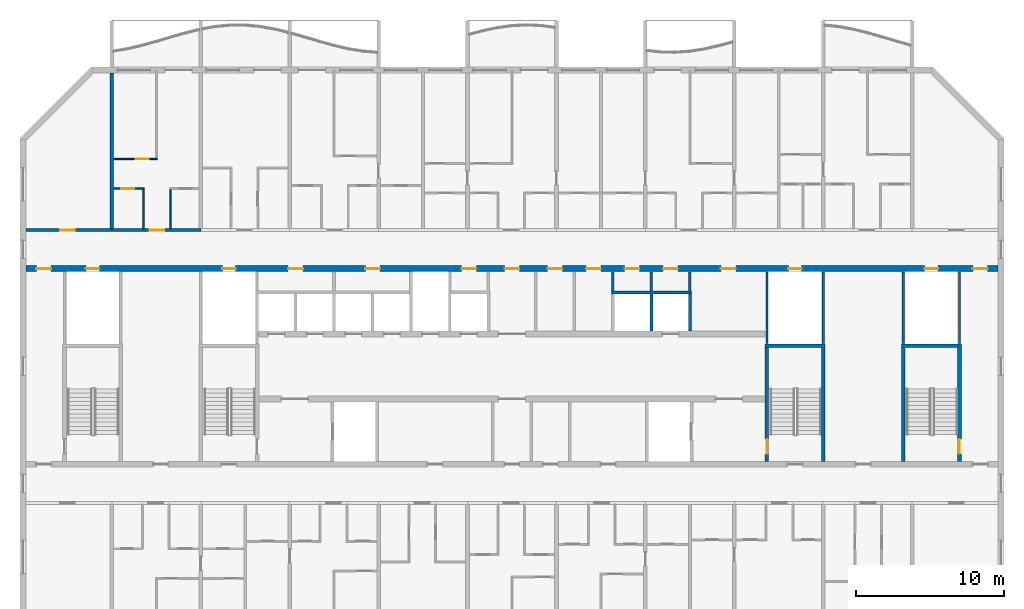
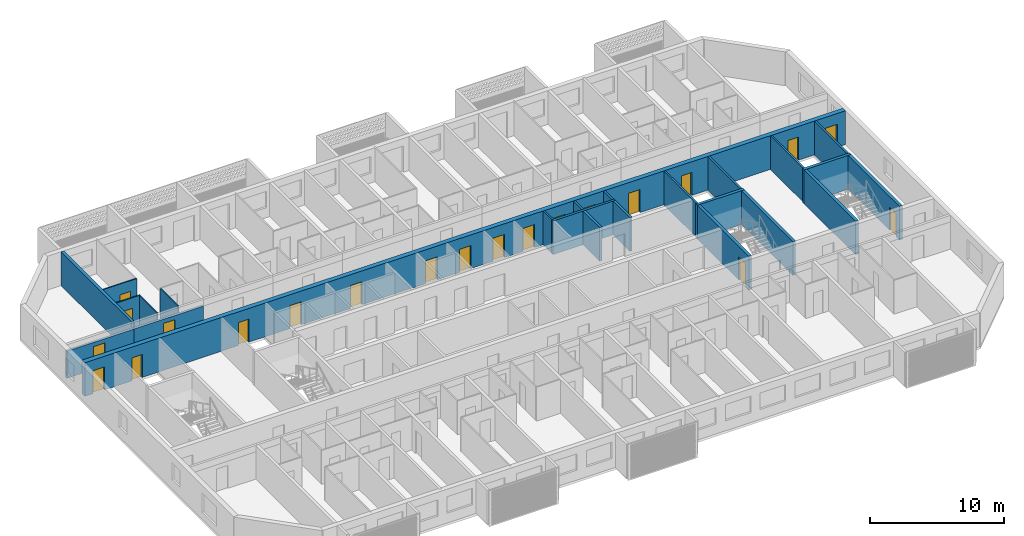
# One storey, part 7 of 27: 24 walls, 21 doors, 21 openings.
"""IFC4 building model written with IfcOpenShell, lengths in metres."""

from ifc_helpers import new_model, si_unit, direction, frame, frame_2d, origin, place, context, subcontext, project, spatial, rectangle, extrude, material, layer, layer_set, type_object, element, fill, save


model = new_model("IFC4")

# Units and contexts
model_context = context("Model", 3, precision=1e-05, world=origin(), true_north=direction((0.0, 1.0)))
body_context = subcontext(model_context, "Body", "Model", "MODEL_VIEW")
ifc_project = project(units=[si_unit("LENGTHUNIT", "METRE"), si_unit("AREAUNIT", "SQUARE_METRE"), si_unit("VOLUMEUNIT", "CUBIC_METRE"), si_unit("PLANEANGLEUNIT", "RADIAN"), si_unit("MASSUNIT", "GRAM", prefix="KILO")], contexts=[model_context])

# Site, building, storey
site_placement = place(None, origin())
site = spatial("IfcSite", under=ifc_project, at=site_placement, CompositionType="ELEMENT")
building_placement = place(site_placement, origin())
building = spatial("IfcBuilding", under=site, at=building_placement, Name="Poui Terraces", CompositionType="ELEMENT")
storey_placement = place(building_placement, frame((0.0, 0.0, 201.60009765625)))
storey = spatial("IfcBuildingStorey", under=building, at=storey_placement, Name="L56", CompositionType="ELEMENT", Elevation=201.60009765625)

# Wall, opening, door
ifc_material_1 = material(Name="Concrete 50 MPa", Category="concrete")
ifc_layer_1 = layer(ifc_material_1, 0.199951171875)
ifc_layer_set_1 = layer_set([ifc_layer_1], Name="Concrete 50 MPa")
wall_type_1 = type_object("IfcWallType", Name="CORRIDOR WALL 200 50MPa", PredefinedType="SHEAR", material=ifc_layer_set_1)
wall_1_placement = place(storey_placement, frame((18.199951171875, 30.39990234375, 0.0), z_axis=(0.0, 0.0, 1.0), x_axis=(1.0, 0.0, 0.0)))
wall_1 = element("IfcWall", 1, at=wall_1_placement, inside=storey, type_object=wall_type_1, Name="CORRIDOR WALL LINE E BAY 1", PredefinedType="SHEAR", context=body_context, shape_type="SweptSolid", body=[
    extrude(rectangle(XDim=5.800048828125, YDim=0.199951171875, at=frame_2d((2.89990234375, 0.0))), origin(), (0.0, 0.0, 1.0), 2.47998046875),
])
opening_1_placement = place(wall_1_placement, frame((2.300048828125, 0.0, 0.0)))
opening_1 = element("IfcOpeningElement", 2, at=opening_1_placement, cuts=wall_1, Name="Opening D100", PredefinedType="OPENING", context=body_context, shape_type="SweptSolid", body=[
    extrude(rectangle(XDim=1.0, YDim=2.10009765625, at=frame_2d((0.5, 1.050048828125))), frame((0.0, 0.10986328125, 0.0), z_axis=(0.0, -1.0, 0.0), x_axis=(1.0, 0.0, 0.0)), (0.0, 0.0, 1.0), 0.219970703125),
])
ifc_material_2 = material(Name="Solid core timber door", Category="wood")
door_type_1 = type_object("IfcDoorType", Name="ACCESSIBLE INTERNAL DOOR 1000 X 2100", OperationType="NOTDEFINED", PredefinedType="DOOR", material=ifc_material_2)
door_1_placement = place(opening_1_placement, origin())
door_1 = element("IfcDoor", 3, at=door_1_placement, inside=storey, type_object=door_type_1, Name="ACCESSIBLE INTERNAL DOOR 026", OperationType="SINGLE_SWING_LEFT", OverallHeight=2.10009765625, OverallWidth=1.0, PredefinedType="DOOR", context=body_context, shape_type="SweptSolid", body=[
    extrude(rectangle(XDim=1.0, YDim=2.10009765625, at=frame_2d((0.5, 1.050048828125))), frame((0.0, 0.02490234375, 0.0), z_axis=(0.0, -1.0, 0.0), x_axis=(1.0, 0.0, 0.0)), (0.0, 0.0, 1.0), 0.050048828125),
])
fill(opening_1, door_1)

wall_2_placement = place(storey_placement, frame((24.0, 30.39990234375, 0.0), z_axis=(0.0, 0.0, 1.0), x_axis=(1.0, 0.0, 0.0)))
wall_2 = element("IfcWall", 4, at=wall_2_placement, inside=storey, type_object=wall_type_1, Name="CORRIDOR WALL LINE E BAY 2", PredefinedType="SHEAR", context=body_context, shape_type="SweptSolid", body=[
    extrude(rectangle(XDim=6.0, YDim=0.199951171875, at=frame_2d((3.0, 0.0))), origin(), (0.0, 0.0, 1.0), 2.47998046875),
])
opening_2_placement = place(wall_2_placement, frame((2.550048828125, 0.0, 0.0)))
opening_2 = element("IfcOpeningElement", 5, at=opening_2_placement, cuts=wall_2, Name="Opening FD30S", PredefinedType="OPENING", context=body_context, shape_type="SweptSolid", body=[
    extrude(rectangle(XDim=1.0, YDim=2.10009765625, at=frame_2d((0.5, 1.050048828125))), frame((0.0, 0.10986328125, 0.0), z_axis=(0.0, -1.0, 0.0), x_axis=(1.0, 0.0, 0.0)), (0.0, 0.0, 1.0), 0.219970703125),
])
ifc_material_3 = material(Name="Steel fire door", Category="steel")
door_type_2 = type_object("IfcDoorType", Name="FLAT ENTRANCE DOOR 1000 X 2100", OperationType="NOTDEFINED", PredefinedType="DOOR", material=ifc_material_3)
door_2_placement = place(opening_2_placement, origin())
door_2 = element("IfcDoor", 6, at=door_2_placement, inside=storey, type_object=door_type_2, Name="FLAT ENTRANCE DOOR 029", OperationType="SINGLE_SWING_RIGHT", OverallHeight=2.10009765625, OverallWidth=1.0, PredefinedType="DOOR", context=body_context, shape_type="SweptSolid", body=[
    extrude(rectangle(XDim=1.0, YDim=2.10009765625, at=frame_2d((0.5, 1.050048828125))), frame((0.0, 0.02490234375, 0.0), z_axis=(0.0, -1.0, 0.0), x_axis=(1.0, 0.0, 0.0)), (0.0, 0.0, 1.0), 0.050048828125),
])
fill(opening_2, door_2)

# Wall
ifc_layer_2 = layer(ifc_material_1, 0.25)
ifc_layer_set_2 = layer_set([ifc_layer_2], Name="Concrete 50 MPa")
wall_type_2 = type_object("IfcWallType", Name="CROSS WALL 250 50MPa", PredefinedType="SHEAR", material=ifc_layer_set_2)
wall_3_placement = place(storey_placement, frame((24.0, 30.5, 0.0), z_axis=(0.0, 0.0, 1.0), x_axis=(0.0, 1.0, 0.0)))
element("IfcWall", 7, at=wall_3_placement, inside=storey, type_object=wall_type_2, Name="CROSS WALL LINE 5 NORTH", PredefinedType="SHEAR", context=body_context, shape_type="SweptSolid", body=[
    extrude(rectangle(XDim=10.5, YDim=0.25, at=frame_2d((5.25, 0.0))), origin(), (0.0, 0.0, 1.0), 3.079833984375),
])

# Wall, opening, door
ifc_material_4 = material(Name="Plasterboard partition")
ifc_layer_3 = layer(ifc_material_4, 0.10009765625)
ifc_layer_set_3 = layer_set([ifc_layer_3], Name="Plasterboard partition")
wall_type_3 = type_object("IfcWallType", Name="FLAT PARTITION 100", PredefinedType="PARTITIONING", material=ifc_layer_set_3)
wall_4_placement = place(storey_placement, frame((24.135009765625, 33.199951171875, 0.0), z_axis=(0.0, 0.0, 1.0), x_axis=(1.0, 0.0, 0.0)))
wall_4 = element("IfcWall", 8, at=wall_4_placement, inside=storey, type_object=wall_type_3, Name="FLAT PARTITION 100", PredefinedType="PARTITIONING", context=body_context, shape_type="SweptSolid", body=[
    extrude(rectangle(XDim=2.06494140625, YDim=0.10009765625, at=frame_2d((1.032470703125, 0.0))), origin(), (0.0, 0.0, 1.0), 3.079833984375),
])
opening_3_placement = place(wall_4_placement, frame((0.489990234375, 0.0, 0.0)))
opening_3 = element("IfcOpeningElement", 9, at=opening_3_placement, cuts=wall_4, Name="Opening D90", PredefinedType="OPENING", context=body_context, shape_type="SweptSolid", body=[
    extrude(rectangle(XDim=0.89990234375, YDim=2.10009765625, at=frame_2d((0.449951171875, 1.050048828125))), frame((0.0, 0.06005859375, 0.0), z_axis=(0.0, -1.0, 0.0), x_axis=(1.0, 0.0, 0.0)), (0.0, 0.0, 1.0), 0.1201171875),
])
door_type_3 = type_object("IfcDoorType", Name="INTERNAL DOOR 900 X 2100", OperationType="NOTDEFINED", PredefinedType="DOOR", material=ifc_material_2)
door_3_placement = place(opening_3_placement, frame((0.89990234375, 0.0, 0.0), z_axis=(0.0, 0.0, 1.0), x_axis=(-1.0, 0.0, 0.0)))
door_3 = element("IfcDoor", 10, at=door_3_placement, inside=storey, type_object=door_type_3, Name="INTERNAL DOOR 027", OperationType="SINGLE_SWING_LEFT", OverallHeight=2.10009765625, OverallWidth=0.89990234375, PredefinedType="DOOR", context=body_context, shape_type="SweptSolid", body=[
    extrude(rectangle(XDim=0.89990234375, YDim=2.10009765625, at=frame_2d((0.449951171875, 1.050048828125))), frame((0.0, 0.02490234375, 0.0), z_axis=(0.0, -1.0, 0.0), x_axis=(1.0, 0.0, 0.0)), (0.0, 0.0, 1.0), 0.050048828125),
])
fill(opening_3, door_3)

wall_5_placement = place(storey_placement, frame((24.135009765625, 35.199951171875, 0.0), z_axis=(0.0, 0.0, 1.0), x_axis=(1.0, 0.0, 0.0)))
wall_5 = element("IfcWall", 11, at=wall_5_placement, inside=storey, type_object=wall_type_3, Name="FLAT PARTITION 100", PredefinedType="PARTITIONING", context=body_context, shape_type="SweptSolid", body=[
    extrude(rectangle(XDim=2.9150390625, YDim=0.10009765625, at=frame_2d((1.45751953125, 0.0))), origin(), (0.0, 0.0, 1.0), 3.079833984375),
])
opening_4_placement = place(wall_5_placement, frame((1.465087890625, 0.0, 0.0)))
opening_4 = element("IfcOpeningElement", 12, at=opening_4_placement, cuts=wall_5, Name="Opening D90", PredefinedType="OPENING", context=body_context, shape_type="SweptSolid", body=[
    extrude(rectangle(XDim=0.89990234375, YDim=2.10009765625, at=frame_2d((0.449951171875, 1.050048828125))), frame((0.0, 0.06005859375, 0.0), z_axis=(0.0, -1.0, 0.0), x_axis=(1.0, 0.0, 0.0)), (0.0, 0.0, 1.0), 0.1201171875),
])
door_4_placement = place(opening_4_placement, frame((0.89990234375, 0.0, 0.0), z_axis=(0.0, 0.0, 1.0), x_axis=(-1.0, 0.0, 0.0)))
door_4 = element("IfcDoor", 13, at=door_4_placement, inside=storey, type_object=door_type_3, Name="INTERNAL DOOR 028", OperationType="SINGLE_SWING_RIGHT", OverallHeight=2.10009765625, OverallWidth=0.89990234375, PredefinedType="DOOR", context=body_context, shape_type="SweptSolid", body=[
    extrude(rectangle(XDim=0.89990234375, YDim=2.10009765625, at=frame_2d((0.449951171875, 1.050048828125))), frame((0.0, 0.02490234375, 0.0), z_axis=(0.0, -1.0, 0.0), x_axis=(1.0, 0.0, 0.0)), (0.0, 0.0, 1.0), 0.050048828125),
])
fill(opening_4, door_4)

# Walls
for number, where, z_axis, x_axis, name in (
    (14, (26.14990234375, 30.510009765625, 0.0), (0.0, 0.0, 1.0), (0.0, 1.0, 0.0), "FLAT PARTITION 100"),
    (15, (27.949951171875, 30.510009765625, 0.0), (0.0, 0.0, 1.0), (0.0, 1.0, 0.0), "FLAT PARTITION 100"),
):
    element("IfcWall", number, at=place(storey_placement, frame(where, z_axis=z_axis, x_axis=x_axis)), inside=storey, type_object=wall_type_3, Name=name, PredefinedType="PARTITIONING", context=body_context, shape_type="SweptSolid", body=[
        extrude(rectangle(XDim=2.639892578125, YDim=0.10009765625, at=frame_2d((1.31982421875, 0.0))), origin(), (0.0, 0.0, 1.0), 3.079833984375),
    ])
ifc_layer_4 = layer(ifc_material_4, 0.14990234375)
ifc_layer_set_4 = layer_set([ifc_layer_4], Name="Plasterboard partition")
wall_type_4 = type_object("IfcWallType", Name="PARTITION WALL 150", PredefinedType="PARTITIONING", material=ifc_layer_set_4)
for number, where, z_axis, x_axis, name in (
    (16, (57.800048828125, 26.300048828125, 0.0), (0.0, 0.0, 1.0), (0.0, 1.0, 0.0), "PARTITION WALL 150"),
    (17, (60.39990234375, 26.300048828125, 0.0), (0.0, 0.0, 1.0), (0.0, 1.0, 0.0), "PARTITION WALL 150"),
    (18, (63.0, 26.300048828125, 0.0), (0.0, 0.0, 1.0), (0.0, 1.0, 0.0), "PARTITION WALL 150"),
):
    element("IfcWall", number, at=place(storey_placement, frame(where, z_axis=z_axis, x_axis=x_axis)), inside=storey, type_object=wall_type_4, Name=name, PredefinedType="PARTITIONING", context=body_context, shape_type="SweptSolid", body=[
        extrude(rectangle(XDim=1.2900390625, YDim=0.14990234375, at=frame_2d((0.64501953125, 0.0))), origin(), (0.0, 0.0, 1.0), 3.079833984375),
    ])
ifc_material_5 = material(Name="Fire-rated plasterboard riser wall")
ifc_layer_5 = layer(ifc_material_5, 0.14990234375)
ifc_layer_set_5 = layer_set([ifc_layer_5], Name="Fire-rated plasterboard riser wall")
wall_type_5 = type_object("IfcWallType", Name="RISER WALL 150", PredefinedType="PARTITIONING", material=ifc_layer_set_5)
for number, where, z_axis, x_axis, name in (
    (19, (68.199951171875, 22.735107421875, 0.0), (0.0, 0.0, 1.0), (0.0, 1.0, 0.0), "RISER WALL 150"),
    (20, (72.0, 22.735107421875, 0.0), (0.0, 0.0, 1.0), (0.0, 1.0, 0.0), "RISER WALL 150"),
    (21, (77.39990234375, 22.735107421875, 0.0), (0.0, 0.0, 1.0), (0.0, 1.0, 0.0), "RISER WALL 150"),
    (22, (81.199951171875, 22.735107421875, 0.0), (0.0, 0.0, 1.0), (0.0, 1.0, 0.0), "RISER WALL 150"),
):
    element("IfcWall", number, at=place(storey_placement, frame(where, z_axis=z_axis, x_axis=x_axis)), inside=storey, type_object=wall_type_5, Name=name, PredefinedType="PARTITIONING", context=body_context, shape_type="SweptSolid", body=[
        extrude(rectangle(XDim=4.85498046875, YDim=0.14990234375, at=frame_2d((2.427490234375, 0.0))), origin(), (0.0, 0.0, 1.0), 3.079833984375),
    ])
ifc_material_6 = material(Name="Fire-rated masonry shaft wall", Category="masonry")
ifc_layer_6 = layer(ifc_material_6, 0.199951171875)
ifc_layer_set_6 = layer_set([ifc_layer_6], Name="Fire-rated masonry shaft wall")
wall_type_6 = type_object("IfcWallType", Name="SHAFT WALL 200", PredefinedType="PARTITIONING", material=ifc_layer_set_6)
wall_6_placement = place(storey_placement, frame((57.699951171875, 26.199951171875, 0.0), z_axis=(0.0, 0.0, 1.0), x_axis=(1.0, 0.0, 0.0)))
element("IfcWall", 23, at=wall_6_placement, inside=storey, type_object=wall_type_6, Name="SHAFT WALL 200", PredefinedType="PARTITIONING", context=body_context, shape_type="SweptSolid", body=[
    extrude(rectangle(XDim=5.400146484375, YDim=0.199951171875, at=frame_2d((2.7001953125, 0.0))), origin(), (0.0, 0.0, 1.0), 3.079833984375),
])
for number, where, z_axis, x_axis, name in (
    (24, (60.39990234375, 23.610107421875, 0.0), (0.0, 0.0, 1.0), (0.0, 1.0, 0.0), "SHAFT WALL 200"),
    (25, (63.0, 23.610107421875, 0.0), (0.0, 0.0, 1.0), (0.0, 1.0, 0.0), "SHAFT WALL 200"),
):
    element("IfcWall", number, at=place(storey_placement, frame(where, z_axis=z_axis, x_axis=x_axis)), inside=storey, type_object=wall_type_6, Name=name, PredefinedType="PARTITIONING", context=body_context, shape_type="SweptSolid", body=[
        extrude(rectangle(XDim=2.489990234375, YDim=0.199951171875, at=frame_2d((1.2451171875, 0.0))), origin(), (0.0, 0.0, 1.0), 3.079833984375),
    ])

# Wall, openings, doors
ifc_layer_7 = layer(ifc_material_1, 0.39990234375)
ifc_layer_set_7 = layer_set([ifc_layer_7], Name="Concrete 50 MPa")
wall_type_7 = type_object("IfcWallType", Name="SPINE WALL 400 50 MPA", PredefinedType="SOLIDWALL", material=ifc_layer_set_7)
wall_7_placement = place(storey_placement, frame((18.199951171875, 27.800048828125, 0.0), z_axis=(0.0, 0.0, 1.0), x_axis=(1.0, 0.0, 0.0)))
wall_7 = element("IfcWall", 26, at=wall_7_placement, inside=storey, type_object=wall_type_7, Name="SPINE WALL", PredefinedType="SOLIDWALL", context=body_context, shape_type="SweptSolid", body=[
    extrude(rectangle(XDim=65.60009765625, YDim=0.39990234375, at=frame_2d((32.800048828125, 0.0))), origin(), (0.0, 0.0, 1.0), 3.079833984375),
])
opening_5_placement = place(wall_7_placement, frame((0.699951171875, 0.0, 0.0)))
opening_5 = element("IfcOpeningElement", 27, at=opening_5_placement, cuts=wall_7, Name="Opening FDL", PredefinedType="OPENING", context=body_context, shape_type="SweptSolid", body=[
    extrude(rectangle(XDim=1.0, YDim=2.10009765625, at=frame_2d((0.5, 1.050048828125))), frame((0.0, 0.2099609375, 0.0), z_axis=(0.0, -1.0, 0.0), x_axis=(1.0, 0.0, 0.0)), (0.0, 0.0, 1.0), 0.419921875),
])
opening_6_placement = place(wall_7_placement, frame((4.050048828125, 0.0, 0.0)))
opening_6 = element("IfcOpeningElement", 28, at=opening_6_placement, cuts=wall_7, Name="Opening FDR", PredefinedType="OPENING", context=body_context, shape_type="SweptSolid", body=[
    extrude(rectangle(XDim=0.89990234375, YDim=2.10009765625, at=frame_2d((0.449951171875, 1.050048828125))), frame((0.0, 0.2099609375, 0.0), z_axis=(0.0, -1.0, 0.0), x_axis=(1.0, 0.0, 0.0)), (0.0, 0.0, 1.0), 0.419921875),
])
opening_7_placement = place(wall_7_placement, frame((13.25, 0.0, 0.0)))
opening_7 = element("IfcOpeningElement", 29, at=opening_7_placement, cuts=wall_7, Name="Opening FDR", PredefinedType="OPENING", context=body_context, shape_type="SweptSolid", body=[
    extrude(rectangle(XDim=0.89990234375, YDim=2.10009765625, at=frame_2d((0.449951171875, 1.050048828125))), frame((0.0, 0.2099609375, 0.0), z_axis=(0.0, -1.0, 0.0), x_axis=(1.0, 0.0, 0.0)), (0.0, 0.0, 1.0), 0.419921875),
])
opening_8_placement = place(wall_7_placement, frame((17.699951171875, 0.0, 0.0)))
opening_8 = element("IfcOpeningElement", 30, at=opening_8_placement, cuts=wall_7, Name="Opening FD60", PredefinedType="OPENING", context=body_context, shape_type="SweptSolid", body=[
    extrude(rectangle(XDim=1.0, YDim=2.10009765625, at=frame_2d((0.5, 1.050048828125))), frame((0.0, 0.2099609375, 0.0), z_axis=(0.0, -1.0, 0.0), x_axis=(1.0, 0.0, 0.0)), (0.0, 0.0, 1.0), 0.419921875),
])
opening_9_placement = place(wall_7_placement, frame((22.89990234375, 0.0, 0.0)))
opening_9 = element("IfcOpeningElement", 31, at=opening_9_placement, cuts=wall_7, Name="Opening FD60", PredefinedType="OPENING", context=body_context, shape_type="SweptSolid", body=[
    extrude(rectangle(XDim=1.0, YDim=2.10009765625, at=frame_2d((0.5, 1.050048828125))), frame((0.0, 0.2099609375, 0.0), z_axis=(0.0, -1.0, 0.0), x_axis=(1.0, 0.0, 0.0)), (0.0, 0.0, 1.0), 0.419921875),
])
opening_10_placement = place(wall_7_placement, frame((29.39990234375, 0.0, 0.0)))
opening_10 = element("IfcOpeningElement", 32, at=opening_10_placement, cuts=wall_7, Name="Opening FD60", PredefinedType="OPENING", context=body_context, shape_type="SweptSolid", body=[
    extrude(rectangle(XDim=1.0, YDim=2.10009765625, at=frame_2d((0.5, 1.050048828125))), frame((0.0, 0.2099609375, 0.0), z_axis=(0.0, -1.0, 0.0), x_axis=(1.0, 0.0, 0.0)), (0.0, 0.0, 1.0), 0.419921875),
])
opening_11_placement = place(wall_7_placement, frame((32.300048828125, 0.0, 0.0)))
opening_11 = element("IfcOpeningElement", 33, at=opening_11_placement, cuts=wall_7, Name="Opening FDL", PredefinedType="OPENING", context=body_context, shape_type="SweptSolid", body=[
    extrude(rectangle(XDim=1.0, YDim=2.10009765625, at=frame_2d((0.5, 1.050048828125))), frame((0.0, 0.2099609375, 0.0), z_axis=(0.0, -1.0, 0.0), x_axis=(1.0, 0.0, 0.0)), (0.0, 0.0, 1.0), 0.419921875),
])
opening_12_placement = place(wall_7_placement, frame((35.199951171875, 0.0, 0.0)))
opening_12 = element("IfcOpeningElement", 34, at=opening_12_placement, cuts=wall_7, Name="Opening FD60", PredefinedType="OPENING", context=body_context, shape_type="SweptSolid", body=[
    extrude(rectangle(XDim=1.0, YDim=2.10009765625, at=frame_2d((0.5, 1.050048828125))), frame((0.0, 0.2099609375, 0.0), z_axis=(0.0, -1.0, 0.0), x_axis=(1.0, 0.0, 0.0)), (0.0, 0.0, 1.0), 0.419921875),
])
opening_13_placement = place(wall_7_placement, frame((37.800048828125, 0.0, 0.0)))
opening_13 = element("IfcOpeningElement", 35, at=opening_13_placement, cuts=wall_7, Name="Opening FD60", PredefinedType="OPENING", context=body_context, shape_type="SweptSolid", body=[
    extrude(rectangle(XDim=1.0, YDim=2.10009765625, at=frame_2d((0.5, 1.050048828125))), frame((0.0, 0.2099609375, 0.0), z_axis=(0.0, -1.0, 0.0), x_axis=(1.0, 0.0, 0.0)), (0.0, 0.0, 1.0), 0.419921875),
])
opening_14_placement = place(wall_7_placement, frame((40.39990234375, 0.0, 0.0)))
opening_14 = element("IfcOpeningElement", 36, at=opening_14_placement, cuts=wall_7, Name="Opening FD60", PredefinedType="OPENING", context=body_context, shape_type="SweptSolid", body=[
    extrude(rectangle(XDim=1.0, YDim=2.10009765625, at=frame_2d((0.5, 1.050048828125))), frame((0.0, 0.2099609375, 0.0), z_axis=(0.0, -1.0, 0.0), x_axis=(1.0, 0.0, 0.0)), (0.0, 0.0, 1.0), 0.419921875),
])
opening_15_placement = place(wall_7_placement, frame((43.0, 0.0, 0.0)))
opening_15 = element("IfcOpeningElement", 37, at=opening_15_placement, cuts=wall_7, Name="Opening FD60", PredefinedType="OPENING", context=body_context, shape_type="SweptSolid", body=[
    extrude(rectangle(XDim=1.0, YDim=2.10009765625, at=frame_2d((0.5, 1.050048828125))), frame((0.0, 0.2099609375, 0.0), z_axis=(0.0, -1.0, 0.0), x_axis=(1.0, 0.0, 0.0)), (0.0, 0.0, 1.0), 0.419921875),
])
opening_16_placement = place(wall_7_placement, frame((46.89990234375, 0.0, 0.0)))
opening_16 = element("IfcOpeningElement", 38, at=opening_16_placement, cuts=wall_7, Name="Opening FD60", PredefinedType="OPENING", context=body_context, shape_type="SweptSolid", body=[
    extrude(rectangle(XDim=1.0, YDim=2.10009765625, at=frame_2d((0.5, 1.050048828125))), frame((0.0, 0.2099609375, 0.0), z_axis=(0.0, -1.0, 0.0), x_axis=(1.0, 0.0, 0.0)), (0.0, 0.0, 1.0), 0.419921875),
])
opening_17_placement = place(wall_7_placement, frame((51.449951171875, 0.0, 0.0)))
opening_17 = element("IfcOpeningElement", 39, at=opening_17_placement, cuts=wall_7, Name="Opening FDR", PredefinedType="OPENING", context=body_context, shape_type="SweptSolid", body=[
    extrude(rectangle(XDim=0.89990234375, YDim=2.10009765625, at=frame_2d((0.449951171875, 1.050048828125))), frame((0.0, 0.2099609375, 0.0), z_axis=(0.0, -1.0, 0.0), x_axis=(1.0, 0.0, 0.0)), (0.0, 0.0, 1.0), 0.419921875),
])
opening_18_placement = place(wall_7_placement, frame((60.64990234375, 0.0, 0.0)))
opening_18 = element("IfcOpeningElement", 40, at=opening_18_placement, cuts=wall_7, Name="Opening FDR", PredefinedType="OPENING", context=body_context, shape_type="SweptSolid", body=[
    extrude(rectangle(XDim=0.89990234375, YDim=2.10009765625, at=frame_2d((0.449951171875, 1.050048828125))), frame((0.0, 0.2099609375, 0.0), z_axis=(0.0, -1.0, 0.0), x_axis=(1.0, 0.0, 0.0)), (0.0, 0.0, 1.0), 0.419921875),
])
opening_19_placement = place(wall_7_placement, frame((63.89990234375, 0.0, 0.0)))
opening_19 = element("IfcOpeningElement", 41, at=opening_19_placement, cuts=wall_7, Name="Opening FDL", PredefinedType="OPENING", context=body_context, shape_type="SweptSolid", body=[
    extrude(rectangle(XDim=1.0, YDim=2.10009765625, at=frame_2d((0.5, 1.050048828125))), frame((0.0, 0.2099609375, 0.0), z_axis=(0.0, -1.0, 0.0), x_axis=(1.0, 0.0, 0.0)), (0.0, 0.0, 1.0), 0.419921875),
])
door_type_4 = type_object("IfcDoorType", Name="LOBBY FIRE DOOR 1000 X 2100", OperationType="NOTDEFINED", PredefinedType="DOOR", material=ifc_material_3)
door_5_placement = place(opening_5_placement, origin())
door_5 = element("IfcDoor", 42, at=door_5_placement, inside=storey, type_object=door_type_4, Name="LOBBY FIRE DOOR 001", OperationType="SINGLE_SWING_LEFT", OverallHeight=2.10009765625, OverallWidth=1.0, PredefinedType="DOOR", context=body_context, shape_type="SweptSolid", body=[
    extrude(rectangle(XDim=1.0, YDim=2.10009765625, at=frame_2d((0.5, 1.050048828125))), frame((0.0, 0.02490234375, 0.0), z_axis=(0.0, -1.0, 0.0), x_axis=(1.0, 0.0, 0.0)), (0.0, 0.0, 1.0), 0.050048828125),
])
fill(opening_5, door_5)
door_6_placement = place(opening_11_placement, origin())
door_6 = element("IfcDoor", 43, at=door_6_placement, inside=storey, type_object=door_type_4, Name="LOBBY FIRE DOOR 007", OperationType="SINGLE_SWING_RIGHT", OverallHeight=2.10009765625, OverallWidth=1.0, PredefinedType="DOOR", context=body_context, shape_type="SweptSolid", body=[
    extrude(rectangle(XDim=1.0, YDim=2.10009765625, at=frame_2d((0.5, 1.050048828125))), frame((0.0, 0.02490234375, 0.0), z_axis=(0.0, -1.0, 0.0), x_axis=(1.0, 0.0, 0.0)), (0.0, 0.0, 1.0), 0.050048828125),
])
fill(opening_11, door_6)
door_7_placement = place(opening_19_placement, origin())
door_7 = element("IfcDoor", 44, at=door_7_placement, inside=storey, type_object=door_type_4, Name="LOBBY FIRE DOOR 015", OperationType="SINGLE_SWING_RIGHT", OverallHeight=2.10009765625, OverallWidth=1.0, PredefinedType="DOOR", context=body_context, shape_type="SweptSolid", body=[
    extrude(rectangle(XDim=1.0, YDim=2.10009765625, at=frame_2d((0.5, 1.050048828125))), frame((0.0, 0.02490234375, 0.0), z_axis=(0.0, -1.0, 0.0), x_axis=(1.0, 0.0, 0.0)), (0.0, 0.0, 1.0), 0.050048828125),
])
fill(opening_19, door_7)
door_type_5 = type_object("IfcDoorType", Name="RISER CUPBOARD DOOR 900 X 2100", OperationType="NOTDEFINED", PredefinedType="DOOR", material=ifc_material_3)
door_8_placement = place(opening_6_placement, origin())
door_8 = element("IfcDoor", 45, at=door_8_placement, inside=storey, type_object=door_type_5, Name="RISER CUPBOARD DOOR 002", OperationType="SINGLE_SWING_LEFT", OverallHeight=2.10009765625, OverallWidth=0.89990234375, PredefinedType="DOOR", context=body_context, shape_type="SweptSolid", body=[
    extrude(rectangle(XDim=0.89990234375, YDim=2.10009765625, at=frame_2d((0.449951171875, 1.050048828125))), frame((0.0, 0.02490234375, 0.0), z_axis=(0.0, -1.0, 0.0), x_axis=(1.0, 0.0, 0.0)), (0.0, 0.0, 1.0), 0.050048828125),
])
fill(opening_6, door_8)
door_9_placement = place(opening_7_placement, origin())
door_9 = element("IfcDoor", 46, at=door_9_placement, inside=storey, type_object=door_type_5, Name="RISER CUPBOARD DOOR 003", OperationType="SINGLE_SWING_LEFT", OverallHeight=2.10009765625, OverallWidth=0.89990234375, PredefinedType="DOOR", context=body_context, shape_type="SweptSolid", body=[
    extrude(rectangle(XDim=0.89990234375, YDim=2.10009765625, at=frame_2d((0.449951171875, 1.050048828125))), frame((0.0, 0.02490234375, 0.0), z_axis=(0.0, -1.0, 0.0), x_axis=(1.0, 0.0, 0.0)), (0.0, 0.0, 1.0), 0.050048828125),
])
fill(opening_7, door_9)
door_10_placement = place(opening_17_placement, origin())
door_10 = element("IfcDoor", 47, at=door_10_placement, inside=storey, type_object=door_type_5, Name="RISER CUPBOARD DOOR 013", OperationType="SINGLE_SWING_RIGHT", OverallHeight=2.10009765625, OverallWidth=0.89990234375, PredefinedType="DOOR", context=body_context, shape_type="SweptSolid", body=[
    extrude(rectangle(XDim=0.89990234375, YDim=2.10009765625, at=frame_2d((0.449951171875, 1.050048828125))), frame((0.0, 0.02490234375, 0.0), z_axis=(0.0, -1.0, 0.0), x_axis=(1.0, 0.0, 0.0)), (0.0, 0.0, 1.0), 0.050048828125),
])
fill(opening_17, door_10)
door_11_placement = place(opening_18_placement, origin())
door_11 = element("IfcDoor", 48, at=door_11_placement, inside=storey, type_object=door_type_5, Name="RISER CUPBOARD DOOR 014", OperationType="SINGLE_SWING_RIGHT", OverallHeight=2.10009765625, OverallWidth=0.89990234375, PredefinedType="DOOR", context=body_context, shape_type="SweptSolid", body=[
    extrude(rectangle(XDim=0.89990234375, YDim=2.10009765625, at=frame_2d((0.449951171875, 1.050048828125))), frame((0.0, 0.02490234375, 0.0), z_axis=(0.0, -1.0, 0.0), x_axis=(1.0, 0.0, 0.0)), (0.0, 0.0, 1.0), 0.050048828125),
])
fill(opening_18, door_11)
door_type_6 = type_object("IfcDoorType", Name="SERVICE ROOM FIRE DOOR 1000 X 2100", OperationType="NOTDEFINED", PredefinedType="DOOR", material=ifc_material_3)
door_12_placement = place(opening_8_placement, origin())
door_12 = element("IfcDoor", 49, at=door_12_placement, inside=storey, type_object=door_type_6, Name="SERVICE ROOM FIRE DOOR 004", OperationType="SINGLE_SWING_RIGHT", OverallHeight=2.10009765625, OverallWidth=1.0, PredefinedType="DOOR", context=body_context, shape_type="SweptSolid", body=[
    extrude(rectangle(XDim=1.0, YDim=2.10009765625, at=frame_2d((0.5, 1.050048828125))), frame((0.0, 0.02490234375, 0.0), z_axis=(0.0, -1.0, 0.0), x_axis=(1.0, 0.0, 0.0)), (0.0, 0.0, 1.0), 0.050048828125),
])
fill(opening_8, door_12)
door_13_placement = place(opening_9_placement, origin())
door_13 = element("IfcDoor", 50, at=door_13_placement, inside=storey, type_object=door_type_6, Name="SERVICE ROOM FIRE DOOR 005", OperationType="SINGLE_SWING_LEFT", OverallHeight=2.10009765625, OverallWidth=1.0, PredefinedType="DOOR", context=body_context, shape_type="SweptSolid", body=[
    extrude(rectangle(XDim=1.0, YDim=2.10009765625, at=frame_2d((0.5, 1.050048828125))), frame((0.0, 0.02490234375, 0.0), z_axis=(0.0, -1.0, 0.0), x_axis=(1.0, 0.0, 0.0)), (0.0, 0.0, 1.0), 0.050048828125),
])
fill(opening_9, door_13)
door_14_placement = place(opening_10_placement, origin())
door_14 = element("IfcDoor", 51, at=door_14_placement, inside=storey, type_object=door_type_6, Name="SERVICE ROOM FIRE DOOR 006", OperationType="SINGLE_SWING_RIGHT", OverallHeight=2.10009765625, OverallWidth=1.0, PredefinedType="DOOR", context=body_context, shape_type="SweptSolid", body=[
    extrude(rectangle(XDim=1.0, YDim=2.10009765625, at=frame_2d((0.5, 1.050048828125))), frame((0.0, 0.02490234375, 0.0), z_axis=(0.0, -1.0, 0.0), x_axis=(1.0, 0.0, 0.0)), (0.0, 0.0, 1.0), 0.050048828125),
])
fill(opening_10, door_14)
door_15_placement = place(opening_12_placement, origin())
door_15 = element("IfcDoor", 52, at=door_15_placement, inside=storey, type_object=door_type_6, Name="SERVICE ROOM FIRE DOOR 008", OperationType="SINGLE_SWING_LEFT", OverallHeight=2.10009765625, OverallWidth=1.0, PredefinedType="DOOR", context=body_context, shape_type="SweptSolid", body=[
    extrude(rectangle(XDim=1.0, YDim=2.10009765625, at=frame_2d((0.5, 1.050048828125))), frame((0.0, 0.02490234375, 0.0), z_axis=(0.0, -1.0, 0.0), x_axis=(1.0, 0.0, 0.0)), (0.0, 0.0, 1.0), 0.050048828125),
])
fill(opening_12, door_15)
door_16_placement = place(opening_13_placement, origin())
door_16 = element("IfcDoor", 53, at=door_16_placement, inside=storey, type_object=door_type_6, Name="SERVICE ROOM FIRE DOOR 009", OperationType="SINGLE_SWING_RIGHT", OverallHeight=2.10009765625, OverallWidth=1.0, PredefinedType="DOOR", context=body_context, shape_type="SweptSolid", body=[
    extrude(rectangle(XDim=1.0, YDim=2.10009765625, at=frame_2d((0.5, 1.050048828125))), frame((0.0, 0.02490234375, 0.0), z_axis=(0.0, -1.0, 0.0), x_axis=(1.0, 0.0, 0.0)), (0.0, 0.0, 1.0), 0.050048828125),
])
fill(opening_13, door_16)
door_17_placement = place(opening_14_placement, origin())
door_17 = element("IfcDoor", 54, at=door_17_placement, inside=storey, type_object=door_type_6, Name="SERVICE ROOM FIRE DOOR 010", OperationType="SINGLE_SWING_LEFT", OverallHeight=2.10009765625, OverallWidth=1.0, PredefinedType="DOOR", context=body_context, shape_type="SweptSolid", body=[
    extrude(rectangle(XDim=1.0, YDim=2.10009765625, at=frame_2d((0.5, 1.050048828125))), frame((0.0, 0.02490234375, 0.0), z_axis=(0.0, -1.0, 0.0), x_axis=(1.0, 0.0, 0.0)), (0.0, 0.0, 1.0), 0.050048828125),
])
fill(opening_14, door_17)
door_18_placement = place(opening_15_placement, origin())
door_18 = element("IfcDoor", 55, at=door_18_placement, inside=storey, type_object=door_type_6, Name="SERVICE ROOM FIRE DOOR 011", OperationType="SINGLE_SWING_RIGHT", OverallHeight=2.10009765625, OverallWidth=1.0, PredefinedType="DOOR", context=body_context, shape_type="SweptSolid", body=[
    extrude(rectangle(XDim=1.0, YDim=2.10009765625, at=frame_2d((0.5, 1.050048828125))), frame((0.0, 0.02490234375, 0.0), z_axis=(0.0, -1.0, 0.0), x_axis=(1.0, 0.0, 0.0)), (0.0, 0.0, 1.0), 0.050048828125),
])
fill(opening_15, door_18)
door_19_placement = place(opening_16_placement, origin())
door_19 = element("IfcDoor", 56, at=door_19_placement, inside=storey, type_object=door_type_6, Name="SERVICE ROOM FIRE DOOR 012", OperationType="SINGLE_SWING_LEFT", OverallHeight=2.10009765625, OverallWidth=1.0, PredefinedType="DOOR", context=body_context, shape_type="SweptSolid", body=[
    extrude(rectangle(XDim=1.0, YDim=2.10009765625, at=frame_2d((0.5, 1.050048828125))), frame((0.0, 0.02490234375, 0.0), z_axis=(0.0, -1.0, 0.0), x_axis=(1.0, 0.0, 0.0)), (0.0, 0.0, 1.0), 0.050048828125),
])
fill(opening_16, door_19)

# Wall, opening, door
ifc_layer_8 = layer(ifc_material_1, 0.25)
ifc_layer_set_8 = layer_set([ifc_layer_8], Name="Concrete 50 MPa")
wall_type_8 = type_object("IfcWallType", Name="STAIR CORE WALL 250 50 MPA", PredefinedType="SOLIDWALL", material=ifc_layer_set_8)
wall_8_placement = place(storey_placement, frame((68.199951171875, 14.800048828125, 0.0), z_axis=(0.0, 0.0, 1.0), x_axis=(0.0, 1.0, 0.0)))
wall_8 = element("IfcWall", 57, at=wall_8_placement, inside=storey, type_object=wall_type_8, Name="STAIR CORE WALL", PredefinedType="SOLIDWALL", context=body_context, shape_type="SweptSolid", body=[
    extrude(rectangle(XDim=7.675048828125, YDim=0.25, at=frame_2d((3.83740234375, 0.0))), origin(), (0.0, 0.0, 1.0), 3.079833984375),
])
opening_20_placement = place(wall_8_placement, frame((0.5, 0.0, 0.0)))
opening_20 = element("IfcOpeningElement", 58, at=opening_20_placement, cuts=wall_8, Name="Opening FD60S", PredefinedType="OPENING", context=body_context, shape_type="SweptSolid", body=[
    extrude(rectangle(XDim=1.0, YDim=2.10009765625, at=frame_2d((0.5, 1.050048828125))), frame((0.0, 0.135009765625, 0.0), z_axis=(0.0, -1.0, 0.0), x_axis=(1.0, 0.0, 0.0)), (0.0, 0.0, 1.0), 0.27001953125),
])
door_type_7 = type_object("IfcDoorType", Name="STAIR DOOR 1000 X 2100", OperationType="NOTDEFINED", PredefinedType="DOOR", material=ifc_material_3)
door_20_placement = place(opening_20_placement, frame((1.0, 0.0, 0.0), z_axis=(0.0, 0.0, 1.0), x_axis=(-1.0, 0.0, 0.0)))
door_20 = element("IfcDoor", 59, at=door_20_placement, inside=storey, type_object=door_type_7, Name="STAIR DOOR 103", OperationType="SINGLE_SWING_LEFT", OverallHeight=2.10009765625, OverallWidth=1.0, PredefinedType="DOOR", context=body_context, shape_type="SweptSolid", body=[
    extrude(rectangle(XDim=1.0, YDim=2.10009765625, at=frame_2d((0.5, 1.050048828125))), frame((0.0, 0.02490234375, 0.0), z_axis=(0.0, -1.0, 0.0), x_axis=(1.0, 0.0, 0.0)), (0.0, 0.0, 1.0), 0.050048828125),
])
fill(opening_20, door_20)

# Walls
wall_9_placement = place(storey_placement, frame((72.0, 14.800048828125, 0.0), z_axis=(0.0, 0.0, 1.0), x_axis=(0.0, 1.0, 0.0)))
element("IfcWall", 60, at=wall_9_placement, inside=storey, type_object=wall_type_8, Name="STAIR CORE WALL", PredefinedType="SOLIDWALL", context=body_context, shape_type="SweptSolid", body=[
    extrude(rectangle(XDim=7.675048828125, YDim=0.25, at=frame_2d((3.83740234375, 0.0))), origin(), (0.0, 0.0, 1.0), 3.079833984375),
])
wall_10_placement = place(storey_placement, frame((68.074951171875, 22.60009765625, 0.0), z_axis=(0.0, 0.0, 1.0), x_axis=(1.0, 0.0, 0.0)))
element("IfcWall", 61, at=wall_10_placement, inside=storey, type_object=wall_type_8, Name="STAIR CORE WALL", PredefinedType="SOLIDWALL", context=body_context, shape_type="SweptSolid", body=[
    extrude(rectangle(XDim=4.050048828125, YDim=0.25, at=frame_2d((2.02490234375, 0.0))), origin(), (0.0, 0.0, 1.0), 3.079833984375),
])
wall_11_placement = place(storey_placement, frame((77.39990234375, 14.800048828125, 0.0), z_axis=(0.0, 0.0, 1.0), x_axis=(0.0, 1.0, 0.0)))
element("IfcWall", 62, at=wall_11_placement, inside=storey, type_object=wall_type_8, Name="STAIR CORE WALL", PredefinedType="SOLIDWALL", context=body_context, shape_type="SweptSolid", body=[
    extrude(rectangle(XDim=7.675048828125, YDim=0.25, at=frame_2d((3.83740234375, 0.0))), origin(), (0.0, 0.0, 1.0), 3.079833984375),
])

# Wall, opening, door
wall_12_placement = place(storey_placement, frame((81.199951171875, 14.800048828125, 0.0), z_axis=(0.0, 0.0, 1.0), x_axis=(0.0, 1.0, 0.0)))
wall_12 = element("IfcWall", 63, at=wall_12_placement, inside=storey, type_object=wall_type_8, Name="STAIR CORE WALL", PredefinedType="SOLIDWALL", context=body_context, shape_type="SweptSolid", body=[
    extrude(rectangle(XDim=7.675048828125, YDim=0.25, at=frame_2d((3.83740234375, 0.0))), origin(), (0.0, 0.0, 1.0), 3.079833984375),
])
opening_21_placement = place(wall_12_placement, frame((0.5, 0.0, 0.0)))
opening_21 = element("IfcOpeningElement", 64, at=opening_21_placement, cuts=wall_12, Name="Opening FD60S", PredefinedType="OPENING", context=body_context, shape_type="SweptSolid", body=[
    extrude(rectangle(XDim=1.0, YDim=2.10009765625, at=frame_2d((0.5, 1.050048828125))), frame((0.0, 0.135009765625, 0.0), z_axis=(0.0, -1.0, 0.0), x_axis=(1.0, 0.0, 0.0)), (0.0, 0.0, 1.0), 0.27001953125),
])
door_21_placement = place(opening_21_placement, origin())
door_21 = element("IfcDoor", 65, at=door_21_placement, inside=storey, type_object=door_type_7, Name="STAIR DOOR 117", OperationType="SINGLE_SWING_LEFT", OverallHeight=2.10009765625, OverallWidth=1.0, PredefinedType="DOOR", context=body_context, shape_type="SweptSolid", body=[
    extrude(rectangle(XDim=1.0, YDim=2.10009765625, at=frame_2d((0.5, 1.050048828125))), frame((0.0, 0.02490234375, 0.0), z_axis=(0.0, -1.0, 0.0), x_axis=(1.0, 0.0, 0.0)), (0.0, 0.0, 1.0), 0.050048828125),
])
fill(opening_21, door_21)

# Wall
wall_13_placement = place(storey_placement, frame((77.27490234375, 22.60009765625, 0.0), z_axis=(0.0, 0.0, 1.0), x_axis=(1.0, 0.0, 0.0)))
element("IfcWall", 66, at=wall_13_placement, inside=storey, type_object=wall_type_8, Name="STAIR CORE WALL", PredefinedType="SOLIDWALL", context=body_context, shape_type="SweptSolid", body=[
    extrude(rectangle(XDim=4.050048828125, YDim=0.25, at=frame_2d((2.02490234375, 0.0))), origin(), (0.0, 0.0, 1.0), 3.079833984375),
])

save(model, "model.ifc")
